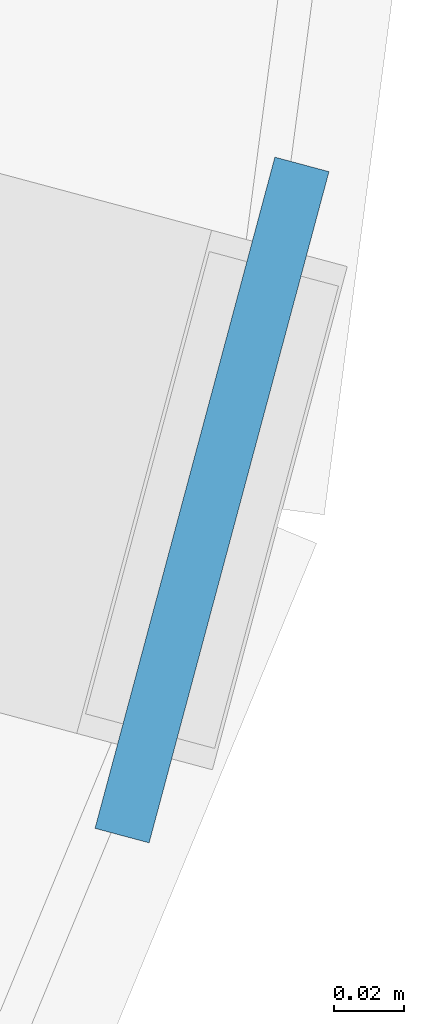
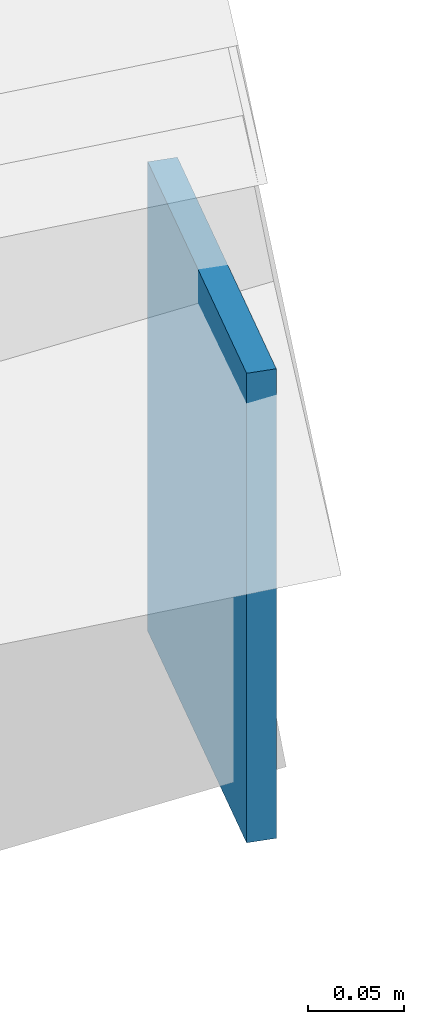
# One storey, part 172 of 200: 1 plate.
"""IFC4 building model written with IfcOpenShell, lengths in metres."""

from ifc_helpers import new_model, si_unit, direction, frame, origin, origin_2d, place, context, subcontext, project, spatial, rectangle, extrude, material, layer, layer_set, type_object, element, save


model = new_model("IFC4")

# Units and contexts
model_context = context("Model", 3, precision=1e-05, world=origin(), true_north=direction((0.0, 1.0)))
body_context = subcontext(model_context, "Body", "Model", "MODEL_VIEW")
ifc_project = project(units=[si_unit("LENGTHUNIT", "METRE"), si_unit("AREAUNIT", "SQUARE_METRE"), si_unit("VOLUMEUNIT", "CUBIC_METRE"), si_unit("PLANEANGLEUNIT", "RADIAN"), si_unit("MASSUNIT", "GRAM", prefix="KILO")], contexts=[model_context])

# Site, building, storey
site_placement = place(None, origin())
site = spatial("IfcSite", under=ifc_project, at=site_placement, CompositionType="ELEMENT")
building_placement = place(site_placement, origin())
building = spatial("IfcBuilding", under=site, at=building_placement, Name="Vondelvale Polytechnic", CompositionType="ELEMENT")
storey_placement = place(building_placement, frame((0.0, 0.0, 13.800048828125)))
storey = spatial("IfcBuildingStorey", under=building, at=storey_placement, Name="L03", CompositionType="ELEMENT", Elevation=13.800048828125)

# Plate
ifc_material = material(Name="Steel Grade 350 (fy = 340 MPa)", Category="steel")
ifc_layer = layer(ifc_material, 0.01611328125)
ifc_layer_set = layer_set([ifc_layer], Name="PLATE-CAP-300x200")
plate_type = type_object("IfcPlateType", Name="PLATE-CAP-300x200", PredefinedType="USERDEFINED", material=ifc_layer_set)
plate_placement = place(storey_placement, frame((148.944091796875, 59.42138671875, 3.61572265625), z_axis=(0.0, 0.0, 1.0), x_axis=(-0.965925826289, 0.258819045103, 0.0)))
element("IfcPlate", 1, at=plate_placement, inside=storey, type_object=plate_type, Name="Ring rafter hollow end cap plate 23O", ObjectType="CAP_PLATE", PredefinedType="USERDEFINED", context=body_context, shape_type="SweptSolid", body=[
    extrude(rectangle(XDim=0.01611328125, YDim=0.199951171875, at=origin_2d()), origin(), (0.0, 0.0, 1.0), 0.300048828125),
])

save(model, "model.ifc")
